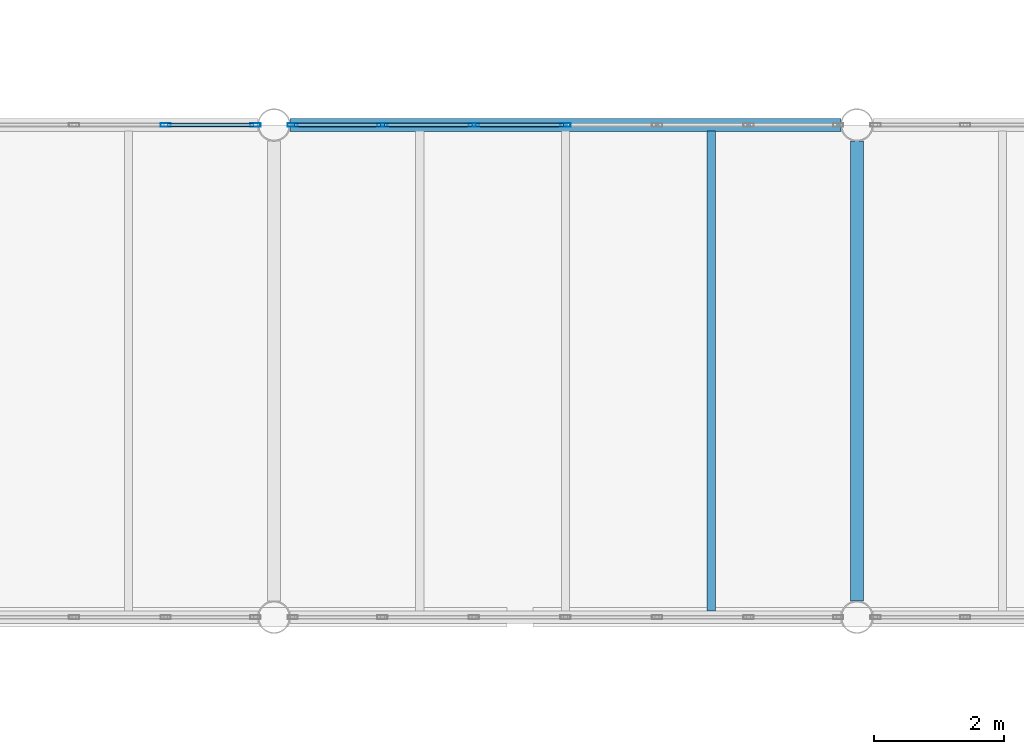
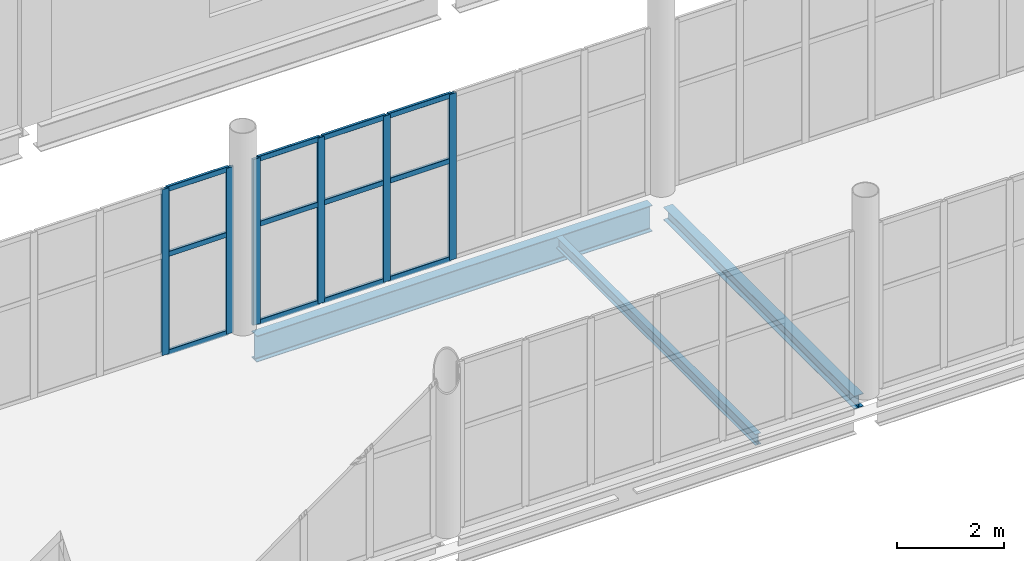
# One storey, part 112 of 172: 18 members, 3 beams, 2 elements without a shape of their own.
"""IFC4 building model written with IfcOpenShell, lengths in metres."""

from ifc_helpers import new_model, si_unit, direction, frame, origin, origin_2d, place, context, subcontext, project, spatial, hollow_rectangle, i_section, extrude, material, material_profile, profile_set, type_object, element, aggregate, save


model = new_model("IFC4")

# Units and contexts
model_context = context("Model", 3, precision=1e-05, world=origin(), true_north=direction((0.0, 1.0)))
body_context = subcontext(model_context, "Body", "Model", "MODEL_VIEW")
ifc_project = project(units=[si_unit("LENGTHUNIT", "METRE"), si_unit("AREAUNIT", "SQUARE_METRE"), si_unit("VOLUMEUNIT", "CUBIC_METRE"), si_unit("PLANEANGLEUNIT", "RADIAN"), si_unit("MASSUNIT", "GRAM", prefix="KILO")], contexts=[model_context])

# Site, building, storey
site_placement = place(None, origin())
site = spatial("IfcSite", under=ifc_project, at=site_placement, CompositionType="ELEMENT")
building_placement = place(site_placement, origin())
building = spatial("IfcBuilding", under=site, at=building_placement, Name="Shengluoqiao Park Theatre", CompositionType="ELEMENT")
storey_placement = place(building_placement, frame((0.0, 0.0, 5.39990234375)))
storey = spatial("IfcBuildingStorey", under=building, at=storey_placement, Name="L01", CompositionType="ELEMENT", Elevation=5.39990234375)

# Curtain wall, members
ifc_material_1 = material(Name="Aluminium 6063-T6", Category="aluminium")
curtain_wall_type = type_object("IfcCurtainWallType", Name="ENV-CW-BRIDGE", PredefinedType="NOTDEFINED", material=ifc_material_1)
curtain_wall_1_placement = place(storey_placement, origin())
curtain_wall_1 = element("IfcCurtainWall", 1, at=curtain_wall_1_placement, inside=storey, type_object=curtain_wall_type, Name="L01 Curtain Wall CWX-L01-0103", PredefinedType="NOTDEFINED")
ifc_material_profile_1 = material_profile(ifc_material_1, hollow_rectangle(XDim=0.06005859375, YDim=0.159912109375, WallThickness=0.00390625, InnerFilletRadius=0.00390625, OuterFilletRadius=0.008056640625, at=origin_2d()), Name="ALU MULLION 160x60x4")
ifc_profile_set_1 = profile_set([ifc_material_profile_1], Name="Aluminium 6063-T6")
member_type_1 = type_object("IfcMemberType", Name="ENV-MUL-160", PredefinedType="MULLION", material=ifc_profile_set_1)
member_1_placement = place(storey_placement, frame((128.72802734375, 76.0, 0.0), z_axis=(0.0, 0.0, 1.0), x_axis=(0.0, 1.0, 0.0)))
member_1 = element("IfcMember", 2, at=member_1_placement, type_object=member_type_1, Name="CW-03 mullion 6", PredefinedType="MULLION", context=body_context, shape_type="SweptSolid", body=[
    extrude(hollow_rectangle(XDim=0.06005859375, YDim=0.159912109375, WallThickness=0.00390625, InnerFilletRadius=0.00390625, OuterFilletRadius=0.008056640625, at=origin_2d()), origin(), (0.0, 0.0, 1.0), 3.772216796875),
])
member_2_placement = place(storey_placement, frame((130.112060546875, 76.0, 0.0), z_axis=(0.0, 0.0, 1.0), x_axis=(0.0, 1.0, 0.0)))
member_2 = element("IfcMember", 3, at=member_2_placement, type_object=member_type_1, Name="CW-03 mullion 7", PredefinedType="MULLION", context=body_context, shape_type="SweptSolid", body=[
    extrude(hollow_rectangle(XDim=0.06005859375, YDim=0.159912109375, WallThickness=0.00390625, InnerFilletRadius=0.00390625, OuterFilletRadius=0.008056640625, at=origin_2d()), origin(), (0.0, 0.0, 1.0), 3.772216796875),
])

curtain_wall_2_placement = place(storey_placement, origin())
curtain_wall_2 = element("IfcCurtainWall", 4, at=curtain_wall_2_placement, inside=storey, type_object=curtain_wall_type, Name="L01 Curtain Wall CWX-L01-0104", PredefinedType="NOTDEFINED")
member_3_placement = place(storey_placement, frame((130.68798828125, 76.0, 0.0), z_axis=(0.0, 0.0, 1.0), x_axis=(0.0, 1.0, 0.0)))
member_3 = element("IfcMember", 5, at=member_3_placement, type_object=member_type_1, Name="CW-03 mullion 1", PredefinedType="MULLION", context=body_context, shape_type="SweptSolid", body=[
    extrude(hollow_rectangle(XDim=0.06005859375, YDim=0.159912109375, WallThickness=0.00390625, InnerFilletRadius=0.00390625, OuterFilletRadius=0.008056640625, at=origin_2d()), origin(), (0.0, 0.0, 1.0), 3.772216796875),
])
member_4_placement = place(storey_placement, frame((132.072021484375, 76.0, 0.0), z_axis=(0.0, 0.0, 1.0), x_axis=(0.0, 1.0, 0.0)))
member_4 = element("IfcMember", 6, at=member_4_placement, type_object=member_type_1, Name="CW-03 mullion 2", PredefinedType="MULLION", context=body_context, shape_type="SweptSolid", body=[
    extrude(hollow_rectangle(XDim=0.06005859375, YDim=0.159912109375, WallThickness=0.00390625, InnerFilletRadius=0.00390625, OuterFilletRadius=0.008056640625, at=origin_2d()), origin(), (0.0, 0.0, 1.0), 3.772216796875),
])
member_5_placement = place(storey_placement, frame((133.486083984375, 76.0, 0.0), z_axis=(0.0, 0.0, 1.0), x_axis=(0.0, 1.0, 0.0)))
member_5 = element("IfcMember", 7, at=member_5_placement, type_object=member_type_1, Name="CW-03 mullion 3", PredefinedType="MULLION", context=body_context, shape_type="SweptSolid", body=[
    extrude(hollow_rectangle(XDim=0.06005859375, YDim=0.159912109375, WallThickness=0.00390625, InnerFilletRadius=0.00390625, OuterFilletRadius=0.008056640625, at=origin_2d()), origin(), (0.0, 0.0, 1.0), 3.772216796875),
])
member_6_placement = place(storey_placement, frame((134.89990234375, 76.0, 0.0), z_axis=(0.0, 0.0, 1.0), x_axis=(0.0, 1.0, 0.0)))
member_6 = element("IfcMember", 8, at=member_6_placement, type_object=member_type_1, Name="CW-03 mullion 4", PredefinedType="MULLION", context=body_context, shape_type="SweptSolid", body=[
    extrude(hollow_rectangle(XDim=0.06005859375, YDim=0.159912109375, WallThickness=0.00390625, InnerFilletRadius=0.00390625, OuterFilletRadius=0.008056640625, at=origin_2d()), origin(), (0.0, 0.0, 1.0), 3.772216796875),
])

# Member
ifc_material_profile_2 = material_profile(ifc_material_1, hollow_rectangle(XDim=0.06005859375, YDim=0.1201171875, WallThickness=0.00390625, InnerFilletRadius=0.00390625, OuterFilletRadius=0.008056640625, at=origin_2d()), Name="ALU TRANSOM 120x60x4")
ifc_profile_set_2 = profile_set([ifc_material_profile_2], Name="Aluminium 6063-T6")
member_type_2 = type_object("IfcMemberType", Name="ENV-TRN-120", PredefinedType="USERDEFINED", material=ifc_profile_set_2)
member_7_placement = place(storey_placement, frame((128.758056640625, 76.0, 0.030029296875), z_axis=(1.0, 0.0, 0.0), x_axis=(0.0, 1.0, 0.0)))
member_7 = element("IfcMember", 9, at=member_7_placement, type_object=member_type_2, Name="CW-03 transom 6.1", ObjectType="TRANSOM", PredefinedType="USERDEFINED", context=body_context, shape_type="SweptSolid", body=[
    extrude(hollow_rectangle(XDim=0.06005859375, YDim=0.1201171875, WallThickness=0.00390625, InnerFilletRadius=0.00390625, OuterFilletRadius=0.008056640625, at=origin_2d()), origin(), (0.0, 0.0, 1.0), 1.323974609375),
])

member_8_placement = place(storey_placement, frame((128.758056640625, 76.0, 2.26318359375), z_axis=(1.0, 0.0, 0.0), x_axis=(0.0, 1.0, 0.0)))
member_8 = element("IfcMember", 10, at=member_8_placement, type_object=member_type_2, Name="CW-03 transom 6.2", ObjectType="TRANSOM", PredefinedType="USERDEFINED", context=body_context, shape_type="SweptSolid", body=[
    extrude(hollow_rectangle(XDim=0.06005859375, YDim=0.1201171875, WallThickness=0.00390625, InnerFilletRadius=0.00390625, OuterFilletRadius=0.008056640625, at=origin_2d()), origin(), (0.0, 0.0, 1.0), 1.323974609375),
])

member_9_placement = place(storey_placement, frame((128.758056640625, 76.0, 3.7421875), z_axis=(1.0, 0.0, 0.0), x_axis=(0.0, 1.0, 0.0)))
member_9 = element("IfcMember", 11, at=member_9_placement, type_object=member_type_2, Name="CW-03 transom 6.3", ObjectType="TRANSOM", PredefinedType="USERDEFINED", context=body_context, shape_type="SweptSolid", body=[
    extrude(hollow_rectangle(XDim=0.06005859375, YDim=0.1201171875, WallThickness=0.00390625, InnerFilletRadius=0.00390625, OuterFilletRadius=0.008056640625, at=origin_2d()), origin(), (0.0, 0.0, 1.0), 1.323974609375),
])

aggregate(curtain_wall_1, [member_1, member_2, member_7, member_8, member_9])

member_10_placement = place(storey_placement, frame((130.718017578125, 76.0, 0.030029296875), z_axis=(1.0, 0.0, 0.0), x_axis=(0.0, 1.0, 0.0)))
member_10 = element("IfcMember", 12, at=member_10_placement, type_object=member_type_2, Name="CW-03 transom 1.1", ObjectType="TRANSOM", PredefinedType="USERDEFINED", context=body_context, shape_type="SweptSolid", body=[
    extrude(hollow_rectangle(XDim=0.06005859375, YDim=0.1201171875, WallThickness=0.00390625, InnerFilletRadius=0.00390625, OuterFilletRadius=0.008056640625, at=origin_2d()), origin(), (0.0, 0.0, 1.0), 1.323974609375),
])

member_11_placement = place(storey_placement, frame((130.718017578125, 76.0, 2.26318359375), z_axis=(1.0, 0.0, 0.0), x_axis=(0.0, 1.0, 0.0)))
member_11 = element("IfcMember", 13, at=member_11_placement, type_object=member_type_2, Name="CW-03 transom 1.2", ObjectType="TRANSOM", PredefinedType="USERDEFINED", context=body_context, shape_type="SweptSolid", body=[
    extrude(hollow_rectangle(XDim=0.06005859375, YDim=0.1201171875, WallThickness=0.00390625, InnerFilletRadius=0.00390625, OuterFilletRadius=0.008056640625, at=origin_2d()), origin(), (0.0, 0.0, 1.0), 1.323974609375),
])

member_12_placement = place(storey_placement, frame((130.718017578125, 76.0, 3.7421875), z_axis=(1.0, 0.0, 0.0), x_axis=(0.0, 1.0, 0.0)))
member_12 = element("IfcMember", 14, at=member_12_placement, type_object=member_type_2, Name="CW-03 transom 1.3", ObjectType="TRANSOM", PredefinedType="USERDEFINED", context=body_context, shape_type="SweptSolid", body=[
    extrude(hollow_rectangle(XDim=0.06005859375, YDim=0.1201171875, WallThickness=0.00390625, InnerFilletRadius=0.00390625, OuterFilletRadius=0.008056640625, at=origin_2d()), origin(), (0.0, 0.0, 1.0), 1.323974609375),
])

member_13_placement = place(storey_placement, frame((132.10205078125, 76.0, 0.030029296875), z_axis=(1.0, 0.0, 0.0), x_axis=(0.0, 1.0, 0.0)))
member_13 = element("IfcMember", 15, at=member_13_placement, type_object=member_type_2, Name="CW-03 transom 2.1", ObjectType="TRANSOM", PredefinedType="USERDEFINED", context=body_context, shape_type="SweptSolid", body=[
    extrude(hollow_rectangle(XDim=0.06005859375, YDim=0.1201171875, WallThickness=0.00390625, InnerFilletRadius=0.00390625, OuterFilletRadius=0.008056640625, at=origin_2d()), origin(), (0.0, 0.0, 1.0), 1.35400390625),
])

member_14_placement = place(storey_placement, frame((132.10205078125, 76.0, 2.26318359375), z_axis=(1.0, 0.0, 0.0), x_axis=(0.0, 1.0, 0.0)))
member_14 = element("IfcMember", 16, at=member_14_placement, type_object=member_type_2, Name="CW-03 transom 2.2", ObjectType="TRANSOM", PredefinedType="USERDEFINED", context=body_context, shape_type="SweptSolid", body=[
    extrude(hollow_rectangle(XDim=0.06005859375, YDim=0.1201171875, WallThickness=0.00390625, InnerFilletRadius=0.00390625, OuterFilletRadius=0.008056640625, at=origin_2d()), origin(), (0.0, 0.0, 1.0), 1.35400390625),
])

member_15_placement = place(storey_placement, frame((132.10205078125, 76.0, 3.7421875), z_axis=(1.0, 0.0, 0.0), x_axis=(0.0, 1.0, 0.0)))
member_15 = element("IfcMember", 17, at=member_15_placement, type_object=member_type_2, Name="CW-03 transom 2.3", ObjectType="TRANSOM", PredefinedType="USERDEFINED", context=body_context, shape_type="SweptSolid", body=[
    extrude(hollow_rectangle(XDim=0.06005859375, YDim=0.1201171875, WallThickness=0.00390625, InnerFilletRadius=0.00390625, OuterFilletRadius=0.008056640625, at=origin_2d()), origin(), (0.0, 0.0, 1.0), 1.35400390625),
])

member_16_placement = place(storey_placement, frame((133.51611328125, 76.0, 0.030029296875), z_axis=(1.0, 0.0, 0.0), x_axis=(0.0, 1.0, 0.0)))
member_16 = element("IfcMember", 18, at=member_16_placement, type_object=member_type_2, Name="CW-03 transom 3.1", ObjectType="TRANSOM", PredefinedType="USERDEFINED", context=body_context, shape_type="SweptSolid", body=[
    extrude(hollow_rectangle(XDim=0.06005859375, YDim=0.1201171875, WallThickness=0.00390625, InnerFilletRadius=0.00390625, OuterFilletRadius=0.008056640625, at=origin_2d()), origin(), (0.0, 0.0, 1.0), 1.35400390625),
])

member_17_placement = place(storey_placement, frame((133.51611328125, 76.0, 2.26318359375), z_axis=(1.0, 0.0, 0.0), x_axis=(0.0, 1.0, 0.0)))
member_17 = element("IfcMember", 19, at=member_17_placement, type_object=member_type_2, Name="CW-03 transom 3.2", ObjectType="TRANSOM", PredefinedType="USERDEFINED", context=body_context, shape_type="SweptSolid", body=[
    extrude(hollow_rectangle(XDim=0.06005859375, YDim=0.1201171875, WallThickness=0.00390625, InnerFilletRadius=0.00390625, OuterFilletRadius=0.008056640625, at=origin_2d()), origin(), (0.0, 0.0, 1.0), 1.35400390625),
])

member_18_placement = place(storey_placement, frame((133.51611328125, 76.0, 3.7421875), z_axis=(1.0, 0.0, 0.0), x_axis=(0.0, 1.0, 0.0)))
member_18 = element("IfcMember", 20, at=member_18_placement, type_object=member_type_2, Name="CW-03 transom 3.3", ObjectType="TRANSOM", PredefinedType="USERDEFINED", context=body_context, shape_type="SweptSolid", body=[
    extrude(hollow_rectangle(XDim=0.06005859375, YDim=0.1201171875, WallThickness=0.00390625, InnerFilletRadius=0.00390625, OuterFilletRadius=0.008056640625, at=origin_2d()), origin(), (0.0, 0.0, 1.0), 1.35400390625),
])

aggregate(curtain_wall_2, [member_3, member_4, member_5, member_6, member_10, member_11, member_12, member_13, member_14, member_15, member_16, member_17, member_18])

# Beams
ifc_material_2 = material(Name="Steel Q355", Category="steel")
ifc_material_profile_3 = material_profile(ifc_material_2, i_section(OverallWidth=0.199951171875, OverallDepth=0.2939453125, WebThickness=0.008056640625, FlangeThickness=0.011962890625, FilletRadius=0.01611328125, at=origin_2d()), Name="HM 294x200x8x12")
ifc_profile_set_3 = profile_set([ifc_material_profile_3], Name="Steel Q355")
beam_type_1 = type_object("IfcBeamType", Name="STR-BM-G-HM294", PredefinedType="BEAM", material=ifc_profile_set_3)
beam_1_placement = place(storey_placement, frame((139.39990234375, 68.64794921875, -0.35693359375), z_axis=(0.0, 1.0, 0.0), x_axis=(-1.0, 0.0, 0.0)))
element("IfcBeam", 21, at=beam_1_placement, inside=storey, type_object=beam_type_1, Name="L01 Transverse Girder 00534", PredefinedType="BEAM", context=body_context, shape_type="SweptSolid", body=[
    extrude(i_section(OverallWidth=0.199951171875, OverallDepth=0.2939453125, WebThickness=0.008056640625, FlangeThickness=0.011962890625, FilletRadius=0.01611328125, at=origin_2d()), origin(), (0.0, 0.0, 1.0), 7.10400390625),
])
ifc_material_profile_4 = material_profile(ifc_material_2, i_section(OverallWidth=0.125, OverallDepth=0.25, WebThickness=0.006103515625, FlangeThickness=0.009033203125, FilletRadius=0.010009765625, at=origin_2d()), Name="HN 250x125x6x9")
ifc_profile_set_4 = profile_set([ifc_material_profile_4], Name="Steel Q355")
beam_type_2 = type_object("IfcBeamType", Name="STR-BM-J-HN250", PredefinedType="JOIST", material=ifc_profile_set_4)
beam_2_placement = place(storey_placement, frame((137.14990234375, 68.494384765625, -0.3349609375), z_axis=(0.0, 1.0, 0.0), x_axis=(-1.0, 0.0, 0.0)))
element("IfcBeam", 22, at=beam_2_placement, inside=storey, type_object=beam_type_2, Name="L01 Composite Joist 00554", PredefinedType="JOIST", context=body_context, shape_type="SweptSolid", body=[
    extrude(i_section(OverallWidth=0.125, OverallDepth=0.25, WebThickness=0.006103515625, FlangeThickness=0.009033203125, FilletRadius=0.010009765625, at=origin_2d()), origin(), (0.0, 0.0, 1.0), 7.4111328125),
])
ifc_material_profile_5 = material_profile(ifc_material_2, i_section(OverallWidth=0.198974609375, OverallDepth=0.595947265625, WebThickness=0.010009765625, FlangeThickness=0.014892578125, FilletRadius=0.02001953125, at=origin_2d()), Name="HN 596x199x10x15")
ifc_profile_set_5 = profile_set([ifc_material_profile_5], Name="Steel Q355")
beam_type_3 = type_object("IfcBeamType", Name="STR-BM-SP-HN596", PredefinedType="SPANDREL", material=ifc_profile_set_5)
beam_3_placement = place(storey_placement, frame((130.64794921875, 76.0, -0.5078125), z_axis=(1.0, 0.0, 0.0), x_axis=(0.0, 1.0, 0.0)))
element("IfcBeam", 23, at=beam_3_placement, inside=storey, type_object=beam_type_3, Name="L01 Primary Girder 00526", PredefinedType="SPANDREL", context=body_context, shape_type="SweptSolid", body=[
    extrude(i_section(OverallWidth=0.198974609375, OverallDepth=0.595947265625, WebThickness=0.010009765625, FlangeThickness=0.014892578125, FilletRadius=0.02001953125, at=origin_2d()), origin(), (0.0, 0.0, 1.0), 8.504150390625),
])

save(model, "model.ifc")
